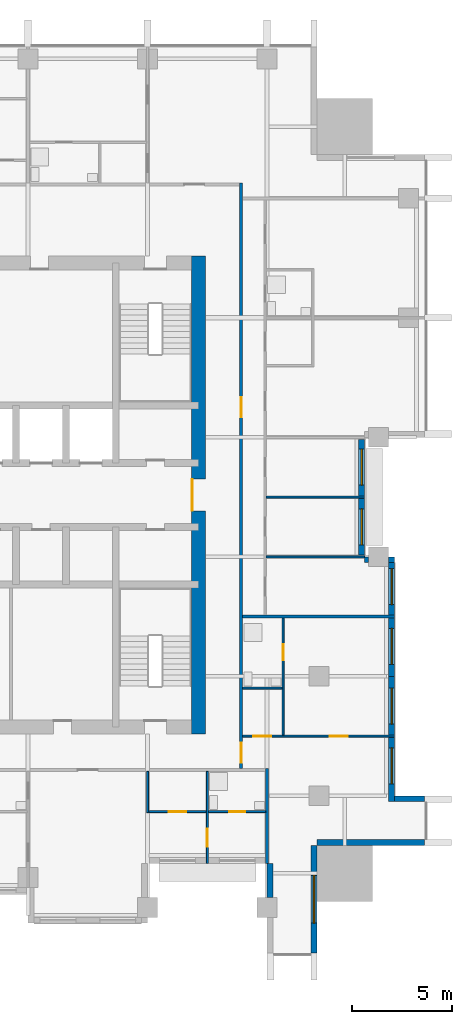
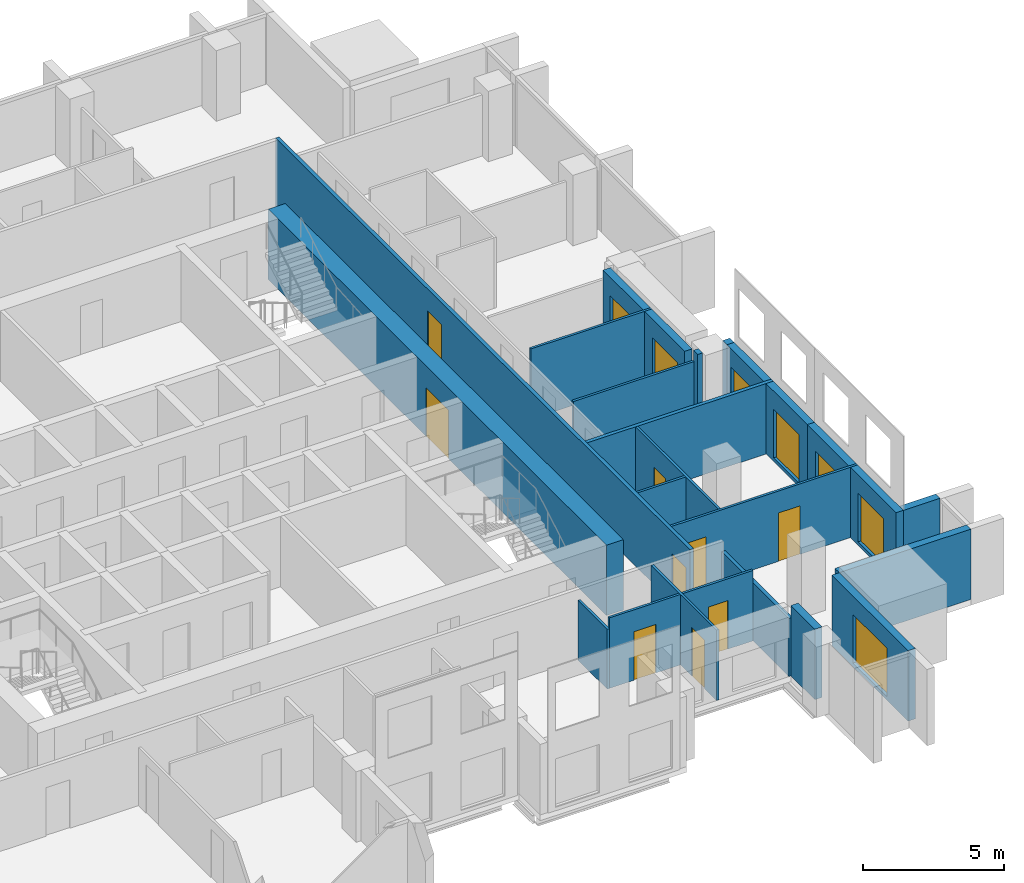
# One storey, part 6 of 11: 21 walls, 9 doors, 7 windows, 16 openings.
"""IFC4 building model written with IfcOpenShell, lengths in metres."""

import ifcopenshell
import ifcopenshell.guid

model = None  # the IFC model being written
_history = None  # IfcOwnerHistory: only IFC2X3 demands one
_inside = {}  # id of a spatial element -> (the spatial element, [elements in it])
_under = {}  # id of a project, library or spatial element -> (it, [spatial elements below it])
_declared = {}  # id of a project -> (the project, [libraries it declares])
_typed = {}  # id of a type object -> (the type object, [elements of that type])
_made_of = {}  # id of a material, layer set ... -> (it, [elements and type objects made of it])


def new_model(schema):
    """Start an empty IFC model of exactly this schema.

    Asked for "IFC4X3", IfcOpenShell would pick the latest addendum, in which some entities
    have other attributes; the version numbers below select the first issue.
    IFC2X3 requires an IfcOwnerHistory on every rooted entity: one is made here for all.
    """
    global model, _history
    if schema == "IFC4X3":
        model = ifcopenshell.file(schema_version=(4, 3, 0, 0))
    else:
        model = ifcopenshell.file(schema=schema)
    _inside.clear()
    _under.clear()
    _declared.clear()
    _typed.clear()
    _made_of.clear()
    _history = None
    if model.schema == "IFC2X3":
        org = make("IfcOrganization", Name="unknown")
        user = make(
            "IfcPersonAndOrganization",
            ThePerson=make("IfcPerson", FamilyName="unknown"),
            TheOrganization=org,
        )
        app = make(
            "IfcApplication",
            ApplicationDeveloper=org,
            Version="unknown",
            ApplicationFullName="unknown",
            ApplicationIdentifier="unknown",
        )
        _history = make(
            "IfcOwnerHistory",
            OwningUser=user,
            OwningApplication=app,
            ChangeAction="ADDED",
            CreationDate=0,
        )
    return model


def make(cls, **values):
    """One entity of the class cls with the attributes given. An attribute that is None is left unset."""
    return model.create_entity(
        cls, **{name: value for name, value in values.items() if value is not None}
    )


def rooted(cls, **values):
    """An entity with a GlobalId (a new one), such as an element, a storey or a relation."""
    return make(cls, GlobalId=ifcopenshell.guid.new(), OwnerHistory=_history, **values)


def si_unit(unit_type, name, prefix=None):
    """IfcSIUnit, for example si_unit("LENGTHUNIT", "METRE", prefix="MILLI")."""
    return make("IfcSIUnit", UnitType=unit_type, Prefix=prefix, Name=name)


def assignment(units):
    """IfcUnitAssignment: the units of a project."""
    return None if units is None else make("IfcUnitAssignment", Units=units)


def point(xyz):
    """IfcCartesianPoint."""
    return None if xyz is None else make("IfcCartesianPoint", Coordinates=xyz)


def direction(xyz):
    """IfcDirection."""
    return None if xyz is None else make("IfcDirection", DirectionRatios=xyz)


def frame(location, z_axis=None, x_axis=None):
    """IfcAxis2Placement3D, a coordinate frame: its origin and axes. An axis left out is left unset."""
    return make(
        "IfcAxis2Placement3D",
        Location=point(location),
        Axis=direction(z_axis),
        RefDirection=direction(x_axis),
    )


def frame_2d(location, x_axis=None):
    """IfcAxis2Placement2D, a coordinate frame in the plane: its origin and x axis."""
    return make(
        "IfcAxis2Placement2D", Location=point(location), RefDirection=direction(x_axis)
    )


def origin():
    """The frame at (0, 0, 0) with its axes left unset."""
    return frame((0.0, 0.0, 0.0))


def place(relative_to, where):
    """IfcLocalPlacement: puts the frame where relative to a parent placement (None: the world)."""
    return make(
        "IfcLocalPlacement", PlacementRelTo=relative_to, RelativePlacement=where
    )


def context(
    kind, dimensions, precision=None, world=None, true_north=None, identifier=None
):
    """IfcGeometricRepresentationContext, for example the 3D "Model" context."""
    return make(
        "IfcGeometricRepresentationContext",
        ContextIdentifier=identifier,
        ContextType=kind,
        CoordinateSpaceDimension=dimensions,
        Precision=precision,
        WorldCoordinateSystem=world,
        TrueNorth=true_north,
    )


def subcontext(parent, identifier, kind, view, scale=None):
    """IfcGeometricRepresentationSubContext, for example "Body" below "Model"."""
    return make(
        "IfcGeometricRepresentationSubContext",
        ContextIdentifier=identifier,
        ContextType=kind,
        ParentContext=parent,
        TargetScale=scale,
        TargetView=view,
    )


def project(units=None, contexts=None):
    """IfcProject with its units and contexts."""
    return rooted(
        "IfcProject",
        Name="project",
        RepresentationContexts=contexts,
        UnitsInContext=assignment(units),
    )


def spatial(cls, under=None, at=None, **own):
    """A site, building, storey or space (cls), placed at a placement, below another one or the project."""
    s = rooted(cls, ObjectPlacement=at, **own)
    if under is not None:
        _under.setdefault(under.id(), (under, []))[1].append(s)
    return s


def profile(cls, at=None, kind="AREA", **sizes):
    """A parametric profile (cls). Its sizes go by their IFC names, for example OverallWidth=200.0."""
    return make(cls, ProfileType=kind, Position=at, **sizes)


def rectangle(**sizes):
    """IfcRectangleProfileDef."""
    return profile("IfcRectangleProfileDef", **sizes)


def extrude(swept, where, along, depth):
    """IfcExtrudedAreaSolid: the profile swept, set in the frame where, extruded along a direction by depth."""
    return make(
        "IfcExtrudedAreaSolid",
        SweptArea=swept,
        Position=where,
        ExtrudedDirection=direction(along),
        Depth=depth,
    )


def shape(context_of_items, identifier, shape_type, items):
    """IfcShapeRepresentation: the items that make up one representation, for example the "Body"."""
    return make(
        "IfcShapeRepresentation",
        ContextOfItems=context_of_items,
        RepresentationIdentifier=identifier,
        RepresentationType=shape_type,
        Items=items,
    )


def material(Name=None, Category=None):
    """IfcMaterial."""
    return make("IfcMaterial", Name=Name, Category=Category)


def layer(
    of_material, thickness, ventilated=None, Name=None, Category=None, Priority=None
):
    """IfcMaterialLayer: one layer of a wall or slab, of a material (None: an air gap)."""
    return make(
        "IfcMaterialLayer",
        Material=of_material,
        LayerThickness=thickness,
        IsVentilated=ventilated,
        Name=Name,
        Category=Category,
        Priority=Priority,
    )


def layer_set(layers, Name=None):
    """IfcMaterialLayerSet."""
    return make("IfcMaterialLayerSet", MaterialLayers=layers, LayerSetName=Name)


def made_of(thing, what):
    """Note that an element or type object is made of a material, layer set ...; save() writes the relation."""
    if what is not None:
        _made_of.setdefault(what.id(), (what, []))[1].append(thing)
    return thing


def type_object(cls, material=None, **own):
    """A type object (cls), such as IfcWallType, which elements share."""
    return made_of(rooted(cls, **own), material)


def element(
    cls,
    number,
    at=None,
    inside=None,
    cuts=None,
    type_object=None,
    material=None,
    context=None,
    identifier="Body",
    shape_type=None,
    held_by="IfcProductDefinitionShape",
    body=None,
    shapes=None,
    **own,
):
    """One element of the class cls, such as IfcWall. Its Tag is "e" and its number.

    at: its placement. inside: the storey or other place that contains it. cuts: it is an
    opening in that element (IfcRelVoidsElement). A single representation is given by context,
    identifier, shape_type and body (its items); several are given by shapes. held_by: the class
    of the entity that holds the representations. save() writes the other relations.
    """
    e = rooted(cls, Tag="e%d" % number, ObjectPlacement=at, **own)
    if body is not None:
        shapes = [shape(context, identifier, shape_type, body)]
    if shapes is not None:
        e.Representation = make(held_by, Representations=shapes)
    if inside is not None:
        _inside.setdefault(inside.id(), (inside, []))[1].append(e)
    if cuts is not None:
        rooted(
            "IfcRelVoidsElement", RelatingBuildingElement=cuts, RelatedOpeningElement=e
        )
    if type_object is not None:
        _typed.setdefault(type_object.id(), (type_object, []))[1].append(e)
    return made_of(e, material)


def fill(opening, filler):
    """IfcRelFillsElement: the door or window that sits in an opening."""
    return rooted(
        "IfcRelFillsElement",
        RelatingOpeningElement=opening,
        RelatedBuildingElement=filler,
    )


def aggregate(whole, parts):
    """IfcRelAggregates: a whole, such as a stair, and the parts it consists of."""
    return rooted("IfcRelAggregates", RelatingObject=whole, RelatedObjects=parts)


def save(model, path):
    """Write the relations noted so far, then the file.

    IfcRelAggregates (storeys below a building ...), IfcRelContainedInSpatialStructure (elements
    in a storey), IfcRelDefinesByType, IfcRelAssociatesMaterial and IfcRelDeclares: one each for
    every whole, place, type object, material and project.
    """
    for whole, parts in _under.values():
        aggregate(whole, parts)
    for where, things in _inside.values():
        rooted(
            "IfcRelContainedInSpatialStructure",
            RelatedElements=things,
            RelatingStructure=where,
        )
    for kind, things in _typed.values():
        rooted("IfcRelDefinesByType", RelatedObjects=things, RelatingType=kind)
    for what, things in _made_of.values():
        rooted("IfcRelAssociatesMaterial", RelatedObjects=things, RelatingMaterial=what)
    for by, libraries in _declared.values():
        rooted("IfcRelDeclares", RelatingContext=by, RelatedDefinitions=libraries)
    model.write(path)


model = new_model("IFC4")

# Units and contexts
model_context = context("Model", 3, precision=1e-05, world=origin(), true_north=direction((0.0, 1.0)))
body_context = subcontext(model_context, "Body", "Model", "MODEL_VIEW")
ifc_project = project(units=[si_unit("LENGTHUNIT", "METRE"), si_unit("AREAUNIT", "SQUARE_METRE"), si_unit("VOLUMEUNIT", "CUBIC_METRE"), si_unit("PLANEANGLEUNIT", "RADIAN"), si_unit("MASSUNIT", "GRAM", prefix="KILO")], contexts=[model_context])

# Site, building, storey
site_placement = place(None, origin())
site = spatial("IfcSite", under=ifc_project, at=site_placement, CompositionType="ELEMENT")
building_placement = place(site_placement, origin())
building = spatial("IfcBuilding", under=site, at=building_placement, Name="Amberfall Residences", CompositionType="ELEMENT")
storey_placement = place(building_placement, frame((0.0, 0.0, 171.39990234375)))
storey = spatial("IfcBuildingStorey", under=building, at=storey_placement, Name="L46", CompositionType="ELEMENT", Elevation=171.39990234375)

# Wall
ifc_material_1 = material(Name="Pale stone cladding on insulated backing", Category="masonry")
ifc_layer_1 = layer(ifc_material_1, 0.300048828125)
ifc_layer_set_1 = layer_set([ifc_layer_1], Name="Bronze clad wall 300")
wall_type_1 = type_object("IfcWallType", Name="Bronze clad wall 300", PredefinedType="SOLIDWALL", material=ifc_layer_set_1)
wall_1_placement = place(storey_placement, frame((89.75, 27.0, 0.0), z_axis=(0.0, 0.0, 1.0), x_axis=(0.0, -1.0, 0.0)))
element("IfcWall", 1, at=wall_1_placement, inside=storey, type_object=wall_type_1, Name="External wall L46 S", PredefinedType="SOLIDWALL", context=body_context, shape_type="SweptSolid", body=[
    extrude(rectangle(XDim=1.699951171875, YDim=0.300048828125, at=frame_2d((0.85009765625, 0.0))), origin(), (0.0, 0.0, 1.0), 3.050048828125),
])

# Wall, opening, window
wall_2_placement = place(storey_placement, frame((91.949951171875, 22.5, 0.0), z_axis=(0.0, 0.0, 1.0), x_axis=(0.0, 1.0, 0.0)))
wall_2 = element("IfcWall", 2, at=wall_2_placement, inside=storey, type_object=wall_type_1, Name="External wall L46 SE", PredefinedType="SOLIDWALL", context=body_context, shape_type="SweptSolid", body=[
    extrude(rectangle(XDim=5.39990234375, YDim=0.300048828125, at=frame_2d((2.699951171875, 0.0))), origin(), (0.0, 0.0, 1.0), 3.050048828125),
])
opening_1_placement = place(wall_2_placement, frame((1.5, 0.0, 0.14990234375)))
opening_1 = element("IfcOpeningElement", 3, at=opening_1_placement, cuts=wall_2, Name="Opening WN5", PredefinedType="OPENING", context=body_context, shape_type="SweptSolid", body=[
    extrude(rectangle(XDim=2.39990234375, YDim=2.10009765625, at=frame_2d((1.199951171875, 1.050048828125))), frame((0.0, 0.159912109375, 0.0), z_axis=(0.0, -1.0, 0.0), x_axis=(1.0, 0.0, 0.0)), (0.0, 0.0, 1.0), 0.320068359375),
])
ifc_material_2 = material(Name="Bronze aluminium framed glazing", Category="aluminium")
window_type_1 = type_object("IfcWindowType", Name="Glazed opening 2400 x 2100 bronze", PartitioningType="DOUBLE_PANEL_VERTICAL", PredefinedType="WINDOW", material=ifc_material_2)
window_1_placement = place(opening_1_placement, origin())
window_1 = element("IfcWindow", 4, at=window_1_placement, inside=storey, type_object=window_type_1, Name="Window L46 SE", OverallHeight=2.10009765625, OverallWidth=2.39990234375, PartitioningType="DOUBLE_PANEL_VERTICAL", PredefinedType="WINDOW", context=body_context, shape_type="SweptSolid", body=[
    extrude(rectangle(XDim=2.39990234375, YDim=2.10009765625, at=frame_2d((1.199951171875, 1.050048828125))), frame((0.0, 0.030029296875, 0.0), z_axis=(0.0, -1.0, 0.0), x_axis=(1.0, 0.0, 0.0)), (0.0, 0.0, 1.0), 0.06005859375),
])
fill(opening_1, window_1)

# Walls
wall_3_placement = place(storey_placement, frame((92.10009765625, 28.050048828125, 0.0), z_axis=(0.0, 0.0, 1.0), x_axis=(1.0, 0.0, 0.0)))
element("IfcWall", 5, at=wall_3_placement, inside=storey, type_object=wall_type_1, Name="External wall L46 SE", PredefinedType="SOLIDWALL", context=body_context, shape_type="SweptSolid", body=[
    extrude(rectangle(XDim=5.39990234375, YDim=0.300048828125, at=frame_2d((2.699951171875, 0.0))), origin(), (0.0, 0.0, 1.0), 3.050048828125),
])
wall_4_placement = place(storey_placement, frame((97.5, 30.25, 0.0), z_axis=(0.0, 0.0, 1.0), x_axis=(-1.0, 0.0, 0.0)))
element("IfcWall", 6, at=wall_4_placement, inside=storey, type_object=wall_type_1, Name="External wall L46 E", PredefinedType="SOLIDWALL", context=body_context, shape_type="SweptSolid", body=[
    extrude(rectangle(XDim=1.5, YDim=0.300048828125, at=frame_2d((0.75, 0.0))), origin(), (0.0, 0.0, 1.0), 3.050048828125),
])
wall_5_placement = place(storey_placement, frame((96.0, 42.25, 0.0), z_axis=(0.0, 0.0, 1.0), x_axis=(-1.0, 0.0, 0.0)))
element("IfcWall", 7, at=wall_5_placement, inside=storey, type_object=wall_type_1, Name="External wall L46 E", PredefinedType="SOLIDWALL", context=body_context, shape_type="SweptSolid", body=[
    extrude(rectangle(XDim=0.300048828125, YDim=0.300048828125, at=frame_2d((0.14990234375, 0.0))), origin(), (0.0, 0.0, 1.0), 3.050048828125),
])
wall_6_placement = place(storey_placement, frame((94.699951171875, 42.25, 0.0), z_axis=(0.0, 0.0, 1.0), x_axis=(-1.0, 0.0, 0.0)))
element("IfcWall", 8, at=wall_6_placement, inside=storey, type_object=wall_type_1, Name="External wall L46 E", PredefinedType="SOLIDWALL", context=body_context, shape_type="SweptSolid", body=[
    extrude(rectangle(XDim=0.199951171875, YDim=0.300048828125, at=frame_2d((0.10009765625, 0.0))), origin(), (0.0, 0.0, 1.0), 3.050048828125),
])

# Wall, openings, windows
wall_7_placement = place(storey_placement, frame((95.85009765625, 30.10009765625, 0.0), z_axis=(0.0, 0.0, 1.0), x_axis=(0.0, 1.0, 0.0)))
wall_7 = element("IfcWall", 9, at=wall_7_placement, inside=storey, type_object=wall_type_1, Name="Stone wall L46 E", PredefinedType="SOLIDWALL", context=body_context, shape_type="SweptSolid", body=[
    extrude(rectangle(XDim=6.2998046875, YDim=0.300048828125, at=frame_2d((3.14990234375, 0.0))), origin(), (0.0, 0.0, 1.0), 3.050048828125),
])
opening_2_placement = place(wall_7_placement, frame((0.89990234375, 0.0, 0.14990234375)))
opening_2 = element("IfcOpeningElement", 10, at=opening_2_placement, cuts=wall_7, Name="Opening WN6", PredefinedType="OPENING", context=body_context, shape_type="SweptSolid", body=[
    extrude(rectangle(XDim=1.800048828125, YDim=2.10009765625, at=frame_2d((0.89990234375, 1.050048828125))), frame((0.0, 0.159912109375, 0.0), z_axis=(0.0, -1.0, 0.0), x_axis=(1.0, 0.0, 0.0)), (0.0, 0.0, 1.0), 0.320068359375),
])
opening_3_placement = place(wall_7_placement, frame((3.89990234375, 0.0, 0.14990234375)))
opening_3 = element("IfcOpeningElement", 11, at=opening_3_placement, cuts=wall_7, Name="Opening WN6", PredefinedType="OPENING", context=body_context, shape_type="SweptSolid", body=[
    extrude(rectangle(XDim=1.800048828125, YDim=2.10009765625, at=frame_2d((0.89990234375, 1.050048828125))), frame((0.0, 0.159912109375, 0.0), z_axis=(0.0, -1.0, 0.0), x_axis=(1.0, 0.0, 0.0)), (0.0, 0.0, 1.0), 0.320068359375),
])
window_type_2 = type_object("IfcWindowType", Name="Glazed opening 1800 x 2100 bronze", PartitioningType="DOUBLE_PANEL_VERTICAL", PredefinedType="WINDOW", material=ifc_material_2)
window_2_placement = place(opening_2_placement, origin())
window_2 = element("IfcWindow", 12, at=window_2_placement, inside=storey, type_object=window_type_2, Name="Window L46 E", OverallHeight=2.10009765625, OverallWidth=1.800048828125, PartitioningType="DOUBLE_PANEL_VERTICAL", PredefinedType="WINDOW", context=body_context, shape_type="SweptSolid", body=[
    extrude(rectangle(XDim=1.800048828125, YDim=2.10009765625, at=frame_2d((0.89990234375, 1.050048828125))), frame((0.0, 0.030029296875, 0.0), z_axis=(0.0, -1.0, 0.0), x_axis=(1.0, 0.0, 0.0)), (0.0, 0.0, 1.0), 0.06005859375),
])
fill(opening_2, window_2)
window_3_placement = place(opening_3_placement, origin())
window_3 = element("IfcWindow", 13, at=window_3_placement, inside=storey, type_object=window_type_2, Name="Window L46 E", OverallHeight=2.10009765625, OverallWidth=1.800048828125, PartitioningType="DOUBLE_PANEL_VERTICAL", PredefinedType="WINDOW", context=body_context, shape_type="SweptSolid", body=[
    extrude(rectangle(XDim=1.800048828125, YDim=2.10009765625, at=frame_2d((0.89990234375, 1.050048828125))), frame((0.0, 0.030029296875, 0.0), z_axis=(0.0, -1.0, 0.0), x_axis=(1.0, 0.0, 0.0)), (0.0, 0.0, 1.0), 0.06005859375),
])
fill(opening_3, window_3)

wall_8_placement = place(storey_placement, frame((95.85009765625, 36.39990234375, 0.0), z_axis=(0.0, 0.0, 1.0), x_axis=(0.0, 1.0, 0.0)))
wall_8 = element("IfcWall", 14, at=wall_8_placement, inside=storey, type_object=wall_type_1, Name="Stone wall L46 E", PredefinedType="SOLIDWALL", context=body_context, shape_type="SweptSolid", body=[
    extrude(rectangle(XDim=5.7001953125, YDim=0.300048828125, at=frame_2d((2.85009765625, 0.0))), origin(), (0.0, 0.0, 1.0), 3.050048828125),
])
opening_4_placement = place(wall_8_placement, frame((0.60009765625, 0.0, 0.14990234375)))
opening_4 = element("IfcOpeningElement", 15, at=opening_4_placement, cuts=wall_8, Name="Opening WN6", PredefinedType="OPENING", context=body_context, shape_type="SweptSolid", body=[
    extrude(rectangle(XDim=1.800048828125, YDim=2.10009765625, at=frame_2d((0.89990234375, 1.050048828125))), frame((0.0, 0.159912109375, 0.0), z_axis=(0.0, -1.0, 0.0), x_axis=(1.0, 0.0, 0.0)), (0.0, 0.0, 1.0), 0.320068359375),
])
opening_5_placement = place(wall_8_placement, frame((3.60009765625, 0.0, 0.14990234375)))
opening_5 = element("IfcOpeningElement", 16, at=opening_5_placement, cuts=wall_8, Name="Opening WN6", PredefinedType="OPENING", context=body_context, shape_type="SweptSolid", body=[
    extrude(rectangle(XDim=1.800048828125, YDim=2.10009765625, at=frame_2d((0.89990234375, 1.050048828125))), frame((0.0, 0.159912109375, 0.0), z_axis=(0.0, -1.0, 0.0), x_axis=(1.0, 0.0, 0.0)), (0.0, 0.0, 1.0), 0.320068359375),
])
window_4_placement = place(opening_4_placement, origin())
window_4 = element("IfcWindow", 17, at=window_4_placement, inside=storey, type_object=window_type_2, Name="Window L46 E", OverallHeight=2.10009765625, OverallWidth=1.800048828125, PartitioningType="DOUBLE_PANEL_VERTICAL", PredefinedType="WINDOW", context=body_context, shape_type="SweptSolid", body=[
    extrude(rectangle(XDim=1.800048828125, YDim=2.10009765625, at=frame_2d((0.89990234375, 1.050048828125))), frame((0.0, 0.030029296875, 0.0), z_axis=(0.0, -1.0, 0.0), x_axis=(1.0, 0.0, 0.0)), (0.0, 0.0, 1.0), 0.06005859375),
])
fill(opening_4, window_4)
window_5_placement = place(opening_5_placement, origin())
window_5 = element("IfcWindow", 18, at=window_5_placement, inside=storey, type_object=window_type_2, Name="Window L46 E", OverallHeight=2.10009765625, OverallWidth=1.800048828125, PartitioningType="DOUBLE_PANEL_VERTICAL", PredefinedType="WINDOW", context=body_context, shape_type="SweptSolid", body=[
    extrude(rectangle(XDim=1.800048828125, YDim=2.10009765625, at=frame_2d((0.89990234375, 1.050048828125))), frame((0.0, 0.030029296875, 0.0), z_axis=(0.0, -1.0, 0.0), x_axis=(1.0, 0.0, 0.0)), (0.0, 0.0, 1.0), 0.06005859375),
])
fill(opening_5, window_5)

wall_9_placement = place(storey_placement, frame((94.35009765625, 42.5, 0.0), z_axis=(0.0, 0.0, 1.0), x_axis=(0.0, 1.0, 0.0)))
wall_9 = element("IfcWall", 19, at=wall_9_placement, inside=storey, type_object=wall_type_1, Name="Stone wall L46 E", PredefinedType="SOLIDWALL", context=body_context, shape_type="SweptSolid", body=[
    extrude(rectangle(XDim=5.800048828125, YDim=0.300048828125, at=frame_2d((2.89990234375, 0.0))), origin(), (0.0, 0.0, 1.0), 3.050048828125),
])
opening_6_placement = place(wall_9_placement, frame((0.5, 0.0, 0.14990234375)))
opening_6 = element("IfcOpeningElement", 20, at=opening_6_placement, cuts=wall_9, Name="Opening WN6", PredefinedType="OPENING", context=body_context, shape_type="SweptSolid", body=[
    extrude(rectangle(XDim=1.800048828125, YDim=2.10009765625, at=frame_2d((0.89990234375, 1.050048828125))), frame((0.0, 0.159912109375, 0.0), z_axis=(0.0, -1.0, 0.0), x_axis=(1.0, 0.0, 0.0)), (0.0, 0.0, 1.0), 0.320068359375),
])
opening_7_placement = place(wall_9_placement, frame((3.5, 0.0, 0.14990234375)))
opening_7 = element("IfcOpeningElement", 21, at=opening_7_placement, cuts=wall_9, Name="Opening WN6", PredefinedType="OPENING", context=body_context, shape_type="SweptSolid", body=[
    extrude(rectangle(XDim=1.800048828125, YDim=2.10009765625, at=frame_2d((0.89990234375, 1.050048828125))), frame((0.0, 0.159912109375, 0.0), z_axis=(0.0, -1.0, 0.0), x_axis=(1.0, 0.0, 0.0)), (0.0, 0.0, 1.0), 0.320068359375),
])
window_6_placement = place(opening_6_placement, origin())
window_6 = element("IfcWindow", 22, at=window_6_placement, inside=storey, type_object=window_type_2, Name="Window L46 E", OverallHeight=2.10009765625, OverallWidth=1.800048828125, PartitioningType="DOUBLE_PANEL_VERTICAL", PredefinedType="WINDOW", context=body_context, shape_type="SweptSolid", body=[
    extrude(rectangle(XDim=1.800048828125, YDim=2.10009765625, at=frame_2d((0.89990234375, 1.050048828125))), frame((0.0, 0.030029296875, 0.0), z_axis=(0.0, -1.0, 0.0), x_axis=(1.0, 0.0, 0.0)), (0.0, 0.0, 1.0), 0.06005859375),
])
fill(opening_6, window_6)
window_7_placement = place(opening_7_placement, origin())
window_7 = element("IfcWindow", 23, at=window_7_placement, inside=storey, type_object=window_type_2, Name="Window L46 E", OverallHeight=2.10009765625, OverallWidth=1.800048828125, PartitioningType="DOUBLE_PANEL_VERTICAL", PredefinedType="WINDOW", context=body_context, shape_type="SweptSolid", body=[
    extrude(rectangle(XDim=1.800048828125, YDim=2.10009765625, at=frame_2d((0.89990234375, 1.050048828125))), frame((0.0, 0.030029296875, 0.0), z_axis=(0.0, -1.0, 0.0), x_axis=(1.0, 0.0, 0.0)), (0.0, 0.0, 1.0), 0.06005859375),
])
fill(opening_7, window_7)

# Wall, opening, door
ifc_material_3 = material(Name="Concrete C60", Category="concrete")
ifc_layer_2 = layer(ifc_material_3, 0.699951171875)
ifc_layer_set_2 = layer_set([ifc_layer_2], Name="Core wall 700 C60")
wall_type_2 = type_object("IfcWallType", Name="Core wall 700 C60", PredefinedType="SHEAR", material=ifc_layer_set_2)
wall_10_placement = place(storey_placement, frame((86.14990234375, 33.5, 0.0), z_axis=(0.0, 0.0, 1.0), x_axis=(0.0, 1.0, 0.0)))
wall_10 = element("IfcWall", 24, at=wall_10_placement, inside=storey, type_object=wall_type_2, Name="Core wall RW5 L46 OE", PredefinedType="SHEAR", context=body_context, shape_type="SweptSolid", body=[
    extrude(rectangle(XDim=24.0, YDim=0.699951171875, at=frame_2d((12.0, 0.0))), origin(), (0.0, 0.0, 1.0), 3.050048828125),
])
opening_8_placement = place(wall_10_placement, frame((11.199951171875, 0.0, 0.0)))
opening_8 = element("IfcOpeningElement", 25, at=opening_8_placement, cuts=wall_10, Name="Opening LB1", PredefinedType="OPENING", context=body_context, shape_type="SweptSolid", body=[
    extrude(rectangle(XDim=1.60009765625, YDim=2.10009765625, at=frame_2d((0.800048828125, 1.050048828125))), frame((0.0, 0.35986328125, 0.0), z_axis=(0.0, -1.0, 0.0), x_axis=(1.0, 0.0, 0.0)), (0.0, 0.0, 1.0), 0.719970703125),
])
ifc_material_4 = material(Name="Steel fire door set", Category="steel")
door_type_1 = type_object("IfcDoorType", Name="Lift lobby double door 1600 x 2100", OperationType="DOUBLE_DOOR_SINGLE_SWING", PredefinedType="DOOR", material=ifc_material_4)
door_1_placement = place(opening_8_placement, origin())
door_1 = element("IfcDoor", 26, at=door_1_placement, inside=storey, type_object=door_type_1, Name="LB1 L46", OperationType="DOUBLE_DOOR_SINGLE_SWING", OverallHeight=2.10009765625, OverallWidth=1.60009765625, PredefinedType="DOOR", context=body_context, shape_type="SweptSolid", body=[
    extrude(rectangle(XDim=1.60009765625, YDim=2.10009765625, at=frame_2d((0.800048828125, 1.050048828125))), frame((0.0, 0.33740234375, 0.0), z_axis=(0.0, -1.0, 0.0), x_axis=(1.0, 0.0, 0.0)), (0.0, 0.0, 1.0), 0.050048828125),
])
fill(opening_8, door_1)

# Wall
ifc_material_5 = material(Name="Gypsum board on metal stud")
ifc_layer_3 = layer(ifc_material_5, 0.10009765625)
ifc_layer_set_3 = layer_set([ifc_layer_3], Name="Flat partition 100")
wall_type_3 = type_object("IfcWallType", Name="Flat partition 100", PredefinedType="PARTITIONING", material=ifc_layer_set_3)
wall_11_placement = place(storey_placement, frame((83.60009765625, 29.550048828125, 0.0), z_axis=(0.0, 0.0, 1.0), x_axis=(0.0, 1.0, 0.0)))
element("IfcWall", 27, at=wall_11_placement, inside=storey, type_object=wall_type_3, Name="Partition 016", PredefinedType="PARTITIONING", context=body_context, shape_type="SweptSolid", body=[
    extrude(rectangle(XDim=2.074951171875, YDim=0.10009765625, at=frame_2d((1.03759765625, 0.0))), origin(), (0.0, 0.0, 1.0), 2.590087890625),
])

# Wall, opening, door
wall_12_placement = place(storey_placement, frame((86.60009765625, 31.625, 0.0), z_axis=(0.0, 0.0, 1.0), x_axis=(0.0, -1.0, 0.0)))
wall_12 = element("IfcWall", 28, at=wall_12_placement, inside=storey, type_object=wall_type_3, Name="Partition 018", PredefinedType="PARTITIONING", context=body_context, shape_type="SweptSolid", body=[
    extrude(rectangle(XDim=4.625, YDim=0.10009765625, at=frame_2d((2.3125, 0.0))), origin(), (0.0, 0.0, 1.0), 3.050048828125),
])
opening_9_placement = place(wall_12_placement, frame((2.875, 0.0, 0.0)))
opening_9 = element("IfcOpeningElement", 29, at=opening_9_placement, cuts=wall_12, Name="Opening D41", PredefinedType="OPENING", context=body_context, shape_type="SweptSolid", body=[
    extrude(rectangle(XDim=0.89990234375, YDim=2.10009765625, at=frame_2d((0.449951171875, 1.050048828125))), frame((0.0, 0.06005859375, 0.0), z_axis=(0.0, -1.0, 0.0), x_axis=(1.0, 0.0, 0.0)), (0.0, 0.0, 1.0), 0.1201171875),
])
ifc_material_6 = material(Name="Timber", Category="wood")
door_type_2 = type_object("IfcDoorType", Name="Internal door 900 x 2100", OperationType="SINGLE_SWING_LEFT", PredefinedType="DOOR", material=ifc_material_6)
door_2_placement = place(opening_9_placement, origin())
door_2 = element("IfcDoor", 30, at=door_2_placement, inside=storey, type_object=door_type_2, Name="Door 4602 bedroom2", OperationType="SINGLE_SWING_LEFT", OverallHeight=2.10009765625, OverallWidth=0.89990234375, PredefinedType="DOOR", context=body_context, shape_type="SweptSolid", body=[
    extrude(rectangle(XDim=0.89990234375, YDim=2.10009765625, at=frame_2d((0.449951171875, 1.050048828125))), frame((0.0, 0.02490234375, 0.0), z_axis=(0.0, -1.0, 0.0), x_axis=(1.0, 0.0, 0.0)), (0.0, 0.0, 1.0), 0.050048828125),
])
fill(opening_9, door_2)

wall_13_placement = place(storey_placement, frame((90.39990234375, 33.449951171875, 0.0), z_axis=(0.0, 0.0, 1.0), x_axis=(0.0, 1.0, 0.0)))
wall_13 = element("IfcWall", 31, at=wall_13_placement, inside=storey, type_object=wall_type_3, Name="Partition 020", PredefinedType="PARTITIONING", context=body_context, shape_type="SweptSolid", body=[
    extrude(rectangle(XDim=5.875, YDim=0.10009765625, at=frame_2d((2.9375, 0.0))), origin(), (0.0, 0.0, 1.0), 3.050048828125),
])
opening_10_placement = place(wall_13_placement, frame((3.75, 0.0, 0.0)))
opening_10 = element("IfcOpeningElement", 32, at=opening_10_placement, cuts=wall_13, Name="Opening D42", PredefinedType="OPENING", context=body_context, shape_type="SweptSolid", body=[
    extrude(rectangle(XDim=0.800048828125, YDim=2.10009765625, at=frame_2d((0.39990234375, 1.050048828125))), frame((0.0, 0.06005859375, 0.0), z_axis=(0.0, -1.0, 0.0), x_axis=(1.0, 0.0, 0.0)), (0.0, 0.0, 1.0), 0.1201171875),
])
door_type_3 = type_object("IfcDoorType", Name="Bathroom door 800 x 2100", OperationType="SINGLE_SWING_LEFT", PredefinedType="DOOR", material=ifc_material_6)
door_3_placement = place(opening_10_placement, origin())
door_3 = element("IfcDoor", 33, at=door_3_placement, inside=storey, type_object=door_type_3, Name="Door 4603 bath1", OperationType="SINGLE_SWING_LEFT", OverallHeight=2.10009765625, OverallWidth=0.800048828125, PredefinedType="DOOR", context=body_context, shape_type="SweptSolid", body=[
    extrude(rectangle(XDim=0.800048828125, YDim=2.10009765625, at=frame_2d((0.39990234375, 1.050048828125))), frame((0.0, 0.02490234375, 0.0), z_axis=(0.0, -1.0, 0.0), x_axis=(1.0, 0.0, 0.0)), (0.0, 0.0, 1.0), 0.050048828125),
])
fill(opening_10, door_3)

# Walls
wall_14_placement = place(storey_placement, frame((89.550048828125, 45.39990234375, 0.0), z_axis=(0.0, 0.0, 1.0), x_axis=(1.0, 0.0, 0.0)))
element("IfcWall", 34, at=wall_14_placement, inside=storey, type_object=wall_type_3, Name="Partition 034", PredefinedType="PARTITIONING", context=body_context, shape_type="SweptSolid", body=[
    extrude(rectangle(XDim=4.949951171875, YDim=0.10009765625, at=frame_2d((2.47509765625, 0.0))), origin(), (0.0, 0.0, 1.0), 3.050048828125),
])
wall_15_placement = place(storey_placement, frame((89.550048828125, 42.39990234375, 0.0), z_axis=(0.0, 0.0, 1.0), x_axis=(1.0, 0.0, 0.0)))
element("IfcWall", 35, at=wall_15_placement, inside=storey, type_object=wall_type_3, Name="Partition 036", PredefinedType="PARTITIONING", context=body_context, shape_type="SweptSolid", body=[
    extrude(rectangle(XDim=4.949951171875, YDim=0.10009765625, at=frame_2d((2.47509765625, 0.0))), origin(), (0.0, 0.0, 1.0), 2.590087890625),
])
wall_16_placement = place(storey_placement, frame((88.375, 35.800048828125, 0.0), z_axis=(0.0, 0.0, 1.0), x_axis=(1.0, 0.0, 0.0)))
element("IfcWall", 36, at=wall_16_placement, inside=storey, type_object=wall_type_3, Name="Partition 039", PredefinedType="PARTITIONING", context=body_context, shape_type="SweptSolid", body=[
    extrude(rectangle(XDim=1.97509765625, YDim=0.10009765625, at=frame_2d((0.987548828125, 0.0))), origin(), (0.0, 0.0, 1.0), 3.050048828125),
])

# Wall, openings, doors
wall_17_placement = place(storey_placement, frame((88.375, 33.39990234375, 0.0), z_axis=(0.0, 0.0, 1.0), x_axis=(1.0, 0.0, 0.0)))
wall_17 = element("IfcWall", 37, at=wall_17_placement, inside=storey, type_object=wall_type_3, Name="Partition 041", PredefinedType="PARTITIONING", context=body_context, shape_type="SweptSolid", body=[
    extrude(rectangle(XDim=7.625, YDim=0.10009765625, at=frame_2d((3.8125, 0.0))), origin(), (0.0, 0.0, 1.0), 3.050048828125),
])
opening_11_placement = place(wall_17_placement, frame((0.52490234375, 0.0, 0.0)))
opening_11 = element("IfcOpeningElement", 38, at=opening_11_placement, cuts=wall_17, Name="Opening D41", PredefinedType="OPENING", context=body_context, shape_type="SweptSolid", body=[
    extrude(rectangle(XDim=0.89990234375, YDim=2.10009765625, at=frame_2d((0.449951171875, 1.050048828125))), frame((0.0, 0.06005859375, 0.0), z_axis=(0.0, -1.0, 0.0), x_axis=(1.0, 0.0, 0.0)), (0.0, 0.0, 1.0), 0.1201171875),
])
opening_12_placement = place(wall_17_placement, frame((4.375, 0.0, 0.0)))
opening_12 = element("IfcOpeningElement", 39, at=opening_12_placement, cuts=wall_17, Name="Opening D41", PredefinedType="OPENING", context=body_context, shape_type="SweptSolid", body=[
    extrude(rectangle(XDim=0.89990234375, YDim=2.10009765625, at=frame_2d((0.449951171875, 1.050048828125))), frame((0.0, 0.06005859375, 0.0), z_axis=(0.0, -1.0, 0.0), x_axis=(1.0, 0.0, 0.0)), (0.0, 0.0, 1.0), 0.1201171875),
])
door_4_placement = place(opening_11_placement, origin())
door_4 = element("IfcDoor", 40, at=door_4_placement, inside=storey, type_object=door_type_2, Name="Door 4603 kitchen", OperationType="SINGLE_SWING_LEFT", OverallHeight=2.10009765625, OverallWidth=0.89990234375, PredefinedType="DOOR", context=body_context, shape_type="SweptSolid", body=[
    extrude(rectangle(XDim=0.89990234375, YDim=2.10009765625, at=frame_2d((0.449951171875, 1.050048828125))), frame((0.0, 0.02490234375, 0.0), z_axis=(0.0, -1.0, 0.0), x_axis=(1.0, 0.0, 0.0)), (0.0, 0.0, 1.0), 0.050048828125),
])
fill(opening_11, door_4)
door_5_placement = place(opening_12_placement, origin())
door_5 = element("IfcDoor", 41, at=door_5_placement, inside=storey, type_object=door_type_2, Name="Door 4603 bedroom1", OperationType="SINGLE_SWING_LEFT", OverallHeight=2.10009765625, OverallWidth=0.89990234375, PredefinedType="DOOR", context=body_context, shape_type="SweptSolid", body=[
    extrude(rectangle(XDim=0.89990234375, YDim=2.10009765625, at=frame_2d((0.449951171875, 1.050048828125))), frame((0.0, 0.02490234375, 0.0), z_axis=(0.0, -1.0, 0.0), x_axis=(1.0, 0.0, 0.0)), (0.0, 0.0, 1.0), 0.050048828125),
])
fill(opening_12, door_5)

wall_18_placement = place(storey_placement, frame((83.64990234375, 29.60009765625, 0.0), z_axis=(0.0, 0.0, 1.0), x_axis=(1.0, 0.0, 0.0)))
wall_18 = element("IfcWall", 42, at=wall_18_placement, inside=storey, type_object=wall_type_3, Name="Partition 045", PredefinedType="PARTITIONING", context=body_context, shape_type="SweptSolid", body=[
    extrude(rectangle(XDim=5.875, YDim=0.10009765625, at=frame_2d((2.9375, 0.0))), origin(), (0.0, 0.0, 1.0), 3.050048828125),
])
opening_13_placement = place(wall_18_placement, frame((1.0, 0.0, 0.0)))
opening_13 = element("IfcOpeningElement", 43, at=opening_13_placement, cuts=wall_18, Name="Opening D41", PredefinedType="OPENING", context=body_context, shape_type="SweptSolid", body=[
    extrude(rectangle(XDim=0.89990234375, YDim=2.10009765625, at=frame_2d((0.449951171875, 1.050048828125))), frame((0.0, 0.06005859375, 0.0), z_axis=(0.0, -1.0, 0.0), x_axis=(1.0, 0.0, 0.0)), (0.0, 0.0, 1.0), 0.1201171875),
])
opening_14_placement = place(wall_18_placement, frame((4.050048828125, 0.0, 0.0)))
opening_14 = element("IfcOpeningElement", 44, at=opening_14_placement, cuts=wall_18, Name="Opening D42", PredefinedType="OPENING", context=body_context, shape_type="SweptSolid", body=[
    extrude(rectangle(XDim=0.800048828125, YDim=2.10009765625, at=frame_2d((0.39990234375, 1.050048828125))), frame((0.0, 0.06005859375, 0.0), z_axis=(0.0, -1.0, 0.0), x_axis=(1.0, 0.0, 0.0)), (0.0, 0.0, 1.0), 0.1201171875),
])
door_6_placement = place(opening_14_placement, origin())
door_6 = element("IfcDoor", 45, at=door_6_placement, inside=storey, type_object=door_type_3, Name="Door 4602 bath2", OperationType="SINGLE_SWING_LEFT", OverallHeight=2.10009765625, OverallWidth=0.800048828125, PredefinedType="DOOR", context=body_context, shape_type="SweptSolid", body=[
    extrude(rectangle(XDim=0.800048828125, YDim=2.10009765625, at=frame_2d((0.39990234375, 1.050048828125))), frame((0.0, 0.02490234375, 0.0), z_axis=(0.0, -1.0, 0.0), x_axis=(1.0, 0.0, 0.0)), (0.0, 0.0, 1.0), 0.050048828125),
])
fill(opening_14, door_6)
door_7_placement = place(opening_13_placement, origin())
door_7 = element("IfcDoor", 46, at=door_7_placement, inside=storey, type_object=door_type_2, Name="Door 4602 kitchen", OperationType="SINGLE_SWING_LEFT", OverallHeight=2.10009765625, OverallWidth=0.89990234375, PredefinedType="DOOR", context=body_context, shape_type="SweptSolid", body=[
    extrude(rectangle(XDim=0.89990234375, YDim=2.10009765625, at=frame_2d((0.449951171875, 1.050048828125))), frame((0.0, 0.02490234375, 0.0), z_axis=(0.0, -1.0, 0.0), x_axis=(1.0, 0.0, 0.0)), (0.0, 0.0, 1.0), 0.050048828125),
])
fill(opening_13, door_7)

ifc_material_7 = material(Name="Blockwork, plastered", Category="masonry")
ifc_layer_4 = layer(ifc_material_7, 0.14990234375)
ifc_layer_set_4 = layer_set([ifc_layer_4], Name="Flat separating wall 150")
wall_type_4 = type_object("IfcWallType", Name="Flat separating wall 150", PredefinedType="PARTITIONING", material=ifc_layer_set_4)
wall_19_placement = place(storey_placement, frame((88.300048828125, 61.175048828125, 0.0), z_axis=(0.0, 0.0, 1.0), x_axis=(0.0, -1.0, 0.0)))
wall_19 = element("IfcWall", 47, at=wall_19_placement, inside=storey, type_object=wall_type_4, Name="Separating wall 050", PredefinedType="PARTITIONING", context=body_context, shape_type="SweptSolid", body=[
    extrude(rectangle(XDim=29.400146484375, YDim=0.14990234375, at=frame_2d((14.7001953125, 0.0))), origin(), (0.0, 0.0, 1.0), 3.050048828125),
])
opening_15_placement = place(wall_19_placement, frame((28.125, 0.0, 0.0)))
opening_15 = element("IfcOpeningElement", 48, at=opening_15_placement, cuts=wall_19, Name="Opening D40", PredefinedType="OPENING", context=body_context, shape_type="SweptSolid", body=[
    extrude(rectangle(XDim=1.0, YDim=2.10009765625, at=frame_2d((0.5, 1.050048828125))), frame((0.0, 0.0849609375, 0.0), z_axis=(0.0, -1.0, 0.0), x_axis=(1.0, 0.0, 0.0)), (0.0, 0.0, 1.0), 0.169921875),
])
opening_16_placement = place(wall_19_placement, frame((10.77490234375, 0.0, 0.0)))
opening_16 = element("IfcOpeningElement", 49, at=opening_16_placement, cuts=wall_19, Name="Opening D40", PredefinedType="OPENING", context=body_context, shape_type="SweptSolid", body=[
    extrude(rectangle(XDim=1.0, YDim=2.10009765625, at=frame_2d((0.5, 1.050048828125))), frame((0.0, 0.0849609375, 0.0), z_axis=(0.0, -1.0, 0.0), x_axis=(1.0, 0.0, 0.0)), (0.0, 0.0, 1.0), 0.169921875),
])
ifc_material_8 = material(Name="Timber, fire-rated", Category="wood")
door_type_4 = type_object("IfcDoorType", Name="Flat entrance door FD60 1000 x 2100", OperationType="SINGLE_SWING_LEFT", PredefinedType="DOOR", material=ifc_material_8)
door_8_placement = place(opening_15_placement, origin())
door_8 = element("IfcDoor", 50, at=door_8_placement, inside=storey, type_object=door_type_4, Name="Door 4603 entrance", OperationType="SINGLE_SWING_LEFT", OverallHeight=2.10009765625, OverallWidth=1.0, PredefinedType="DOOR", context=body_context, shape_type="SweptSolid", body=[
    extrude(rectangle(XDim=1.0, YDim=2.10009765625, at=frame_2d((0.5, 1.050048828125))), frame((0.0, 0.02490234375, 0.0), z_axis=(0.0, -1.0, 0.0), x_axis=(1.0, 0.0, 0.0)), (0.0, 0.0, 1.0), 0.050048828125),
])
fill(opening_15, door_8)
door_9_placement = place(opening_16_placement, origin())
door_9 = element("IfcDoor", 51, at=door_9_placement, inside=storey, type_object=door_type_4, Name="Door 4604 entrance", OperationType="SINGLE_SWING_LEFT", OverallHeight=2.10009765625, OverallWidth=1.0, PredefinedType="DOOR", context=body_context, shape_type="SweptSolid", body=[
    extrude(rectangle(XDim=1.0, YDim=2.10009765625, at=frame_2d((0.5, 1.050048828125))), frame((0.0, 0.02490234375, 0.0), z_axis=(0.0, -1.0, 0.0), x_axis=(1.0, 0.0, 0.0)), (0.0, 0.0, 1.0), 0.050048828125),
])
fill(opening_16, door_9)

# Walls
wall_20_placement = place(storey_placement, frame((89.60009765625, 27.0, 0.0), z_axis=(0.0, 0.0, 1.0), x_axis=(0.0, 1.0, 0.0)))
element("IfcWall", 52, at=wall_20_placement, inside=storey, type_object=wall_type_4, Name="Separating wall 051", PredefinedType="PARTITIONING", context=body_context, shape_type="SweptSolid", body=[
    extrude(rectangle(XDim=4.77490234375, YDim=0.14990234375, at=frame_2d((2.387451171875, 0.0))), origin(), (0.0, 0.0, 1.0), 2.510009765625),
])
wall_21_placement = place(storey_placement, frame((88.375, 39.39990234375, 0.0), z_axis=(0.0, 0.0, 1.0), x_axis=(1.0, 0.0, 0.0)))
element("IfcWall", 53, at=wall_21_placement, inside=storey, type_object=wall_type_4, Name="Separating wall 055", PredefinedType="PARTITIONING", context=body_context, shape_type="SweptSolid", body=[
    extrude(rectangle(XDim=7.625, YDim=0.14990234375, at=frame_2d((3.8125, 0.0))), origin(), (0.0, 0.0, 1.0), 3.050048828125),
])

save(model, "model.ifc")
